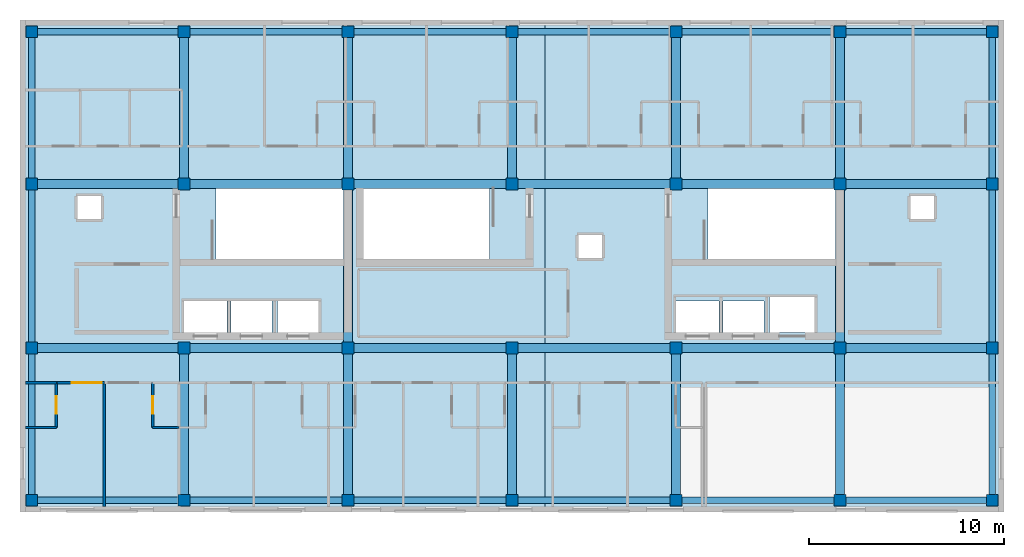
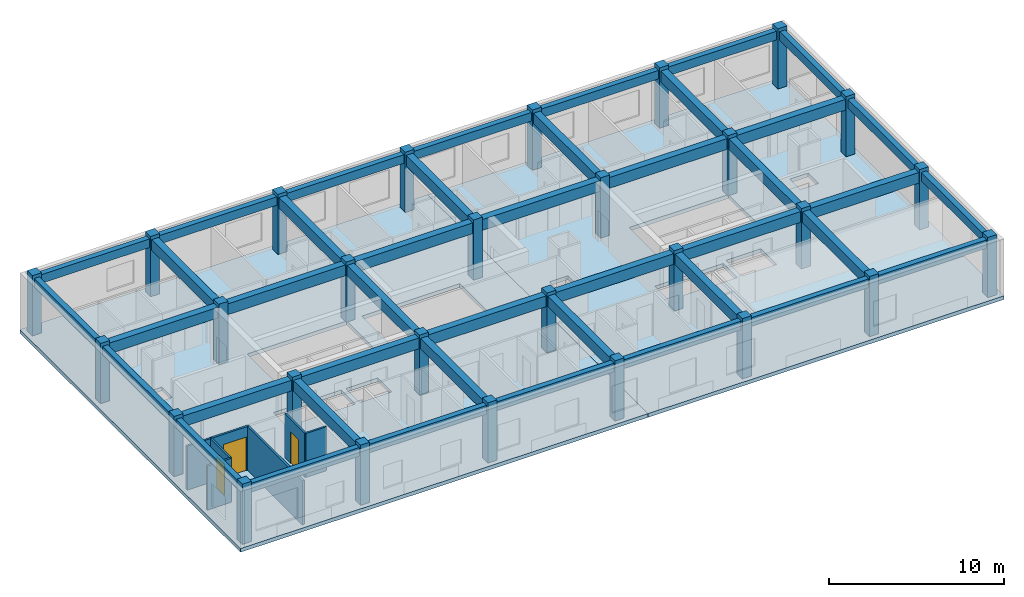
# One storey, part 1 of 7: 42 beams, 28 columns, 7 walls, 3 doors, 2 slabs, 3 openings.
"""IFC4 building model written with IfcOpenShell, lengths in metres."""

from ifc_helpers import new_model, si_unit, direction, frame, frame_2d, origin, origin_2d, place, context, subcontext, project, spatial, polyline, rectangle, outline, extrude, material, layer, layer_set, material_profile, profile_set, type_object, element, fill, save


model = new_model("IFC4")

# Units and contexts
model_context = context("Model", 3, precision=1e-05, world=origin(), true_north=direction((0.0, 1.0)))
body_context = subcontext(model_context, "Body", "Model", "MODEL_VIEW")
ifc_project = project(units=[si_unit("LENGTHUNIT", "METRE"), si_unit("AREAUNIT", "SQUARE_METRE"), si_unit("VOLUMEUNIT", "CUBIC_METRE"), si_unit("PLANEANGLEUNIT", "RADIAN"), si_unit("MASSUNIT", "GRAM", prefix="KILO")], contexts=[model_context])

# Site, building, storey
site_placement = place(None, origin())
site = spatial("IfcSite", under=ifc_project, at=site_placement, CompositionType="ELEMENT")
building_placement = place(site_placement, origin())
building = spatial("IfcBuilding", under=site, at=building_placement, Name="Zayran Congress Hotel", CompositionType="ELEMENT")
storey_placement = place(building_placement, frame((0.0, 0.0, 44.39990234375)))
storey = spatial("IfcBuildingStorey", under=building, at=storey_placement, Name="L11", CompositionType="ELEMENT", Elevation=44.39990234375)

# Columns
ifc_material_1 = material(Name="Concrete C40/50", Category="concrete")
ifc_material_profile_1 = material_profile(ifc_material_1, rectangle(XDim=0.60009765625, YDim=0.60009765625, at=origin_2d()), Name="RC 600x600")
ifc_profile_set_1 = profile_set([ifc_material_profile_1], Name="Concrete C40/50")
column_type = type_object("IfcColumnType", Name="TP-CL-04", PredefinedType="COLUMN", material=ifc_profile_set_1)
for number, where, z_axis, x_axis, name in (
    (1, (17.39990234375, 9.39990234375, 0.0), (0.0, 0.0, 1.0), (1.0, 0.0, 0.0), "COL-V5-L11-1352"),
    (2, (17.39990234375, 17.199951171875, 0.0), (0.0, 0.0, 1.0), (1.0, 0.0, 0.0), "COL-V5-L11-1353"),
    (3, (17.39990234375, 25.60009765625, 0.0), (0.0, 0.0, 1.0), (1.0, 0.0, 0.0), "COL-V5-L11-1354"),
    (4, (17.39990234375, 33.39990234375, 0.0), (0.0, 0.0, 1.0), (1.0, 0.0, 0.0), "COL-V5-L11-1355"),
    (5, (25.199951171875, 9.39990234375, 0.0), (0.0, 0.0, 1.0), (1.0, 0.0, 0.0), "COL-V5-L11-1356"),
    (6, (25.199951171875, 17.199951171875, 0.0), (0.0, 0.0, 1.0), (1.0, 0.0, 0.0), "COL-V5-L11-1357"),
    (7, (25.199951171875, 25.60009765625, 0.0), (0.0, 0.0, 1.0), (1.0, 0.0, 0.0), "COL-V5-L11-1358"),
    (8, (25.199951171875, 33.39990234375, 0.0), (0.0, 0.0, 1.0), (1.0, 0.0, 0.0), "COL-V5-L11-1359"),
    (9, (33.60009765625, 9.39990234375, 0.0), (0.0, 0.0, 1.0), (1.0, 0.0, 0.0), "COL-V5-L11-1360"),
    (10, (33.60009765625, 17.199951171875, 0.0), (0.0, 0.0, 1.0), (1.0, 0.0, 0.0), "COL-V5-L11-1361"),
    (11, (33.60009765625, 25.60009765625, 0.0), (0.0, 0.0, 1.0), (1.0, 0.0, 0.0), "COL-V5-L11-1362"),
    (12, (33.60009765625, 33.39990234375, 0.0), (0.0, 0.0, 1.0), (1.0, 0.0, 0.0), "COL-V5-L11-1363"),
    (13, (42.0, 9.39990234375, 0.0), (0.0, 0.0, 1.0), (1.0, 0.0, 0.0), "COL-V5-L11-1364"),
    (14, (42.0, 17.199951171875, 0.0), (0.0, 0.0, 1.0), (1.0, 0.0, 0.0), "COL-V5-L11-1365"),
    (15, (42.0, 25.60009765625, 0.0), (0.0, 0.0, 1.0), (1.0, 0.0, 0.0), "COL-V5-L11-1366"),
    (16, (42.0, 33.39990234375, 0.0), (0.0, 0.0, 1.0), (1.0, 0.0, 0.0), "COL-V5-L11-1367"),
    (17, (50.39990234375, 9.39990234375, 0.0), (0.0, 0.0, 1.0), (1.0, 0.0, 0.0), "COL-V5-L11-1368"),
    (18, (50.39990234375, 17.199951171875, 0.0), (0.0, 0.0, 1.0), (1.0, 0.0, 0.0), "COL-V5-L11-1369"),
    (19, (50.39990234375, 25.60009765625, 0.0), (0.0, 0.0, 1.0), (1.0, 0.0, 0.0), "COL-V5-L11-1370"),
    (20, (50.39990234375, 33.39990234375, 0.0), (0.0, 0.0, 1.0), (1.0, 0.0, 0.0), "COL-V5-L11-1371"),
    (21, (58.800048828125, 9.39990234375, 0.0), (0.0, 0.0, 1.0), (1.0, 0.0, 0.0), "COL-V5-L11-1372"),
    (22, (58.800048828125, 17.199951171875, 0.0), (0.0, 0.0, 1.0), (1.0, 0.0, 0.0), "COL-V5-L11-1373"),
    (23, (58.800048828125, 25.60009765625, 0.0), (0.0, 0.0, 1.0), (1.0, 0.0, 0.0), "COL-V5-L11-1374"),
    (24, (58.800048828125, 33.39990234375, 0.0), (0.0, 0.0, 1.0), (1.0, 0.0, 0.0), "COL-V5-L11-1375"),
    (25, (66.60009765625, 9.39990234375, 0.0), (0.0, 0.0, 1.0), (1.0, 0.0, 0.0), "COL-V5-L11-1376"),
    (26, (66.60009765625, 17.199951171875, 0.0), (0.0, 0.0, 1.0), (1.0, 0.0, 0.0), "COL-V5-L11-1377"),
    (27, (66.60009765625, 25.60009765625, 0.0), (0.0, 0.0, 1.0), (1.0, 0.0, 0.0), "COL-V5-L11-1378"),
    (28, (66.60009765625, 33.39990234375, 0.0), (0.0, 0.0, 1.0), (1.0, 0.0, 0.0), "COL-V5-L11-1379"),
):
    element("IfcColumn", number, at=place(storey_placement, frame(where, z_axis=z_axis, x_axis=x_axis)), inside=storey, type_object=column_type, Name=name, PredefinedType="COLUMN", context=body_context, shape_type="SweptSolid", body=[
        extrude(rectangle(XDim=0.60009765625, YDim=0.60009765625, at=origin_2d()), origin(), (0.0, 0.0, 1.0), 4.2001953125),
    ])

# Beams
ifc_material_profile_2 = material_profile(ifc_material_1, rectangle(XDim=0.449951171875, YDim=0.75, at=origin_2d()), Name="RC 450x750")
ifc_profile_set_2 = profile_set([ifc_material_profile_2], Name="Concrete C40/50")
beam_type_1 = type_object("IfcBeamType", Name="TP-BM-02", PredefinedType="BEAM", material=ifc_profile_set_2)
beam_1_placement = place(storey_placement, frame((17.39990234375, 17.199951171875, 3.585205078125), z_axis=(1.0, 0.0, 0.0), x_axis=(0.0, 1.0, 0.0)))
element("IfcBeam", 29, at=beam_1_placement, inside=storey, type_object=beam_type_1, Name="BM-V5-L11-2364", PredefinedType="BEAM", context=body_context, shape_type="SweptSolid", body=[
    extrude(rectangle(XDim=0.449951171875, YDim=0.75, at=origin_2d()), origin(), (0.0, 0.0, 1.0), 7.800048828125),
])
beam_2_placement = place(storey_placement, frame((25.199951171875, 17.199951171875, 3.585205078125), z_axis=(1.0, 0.0, 0.0), x_axis=(0.0, 1.0, 0.0)))
element("IfcBeam", 30, at=beam_2_placement, inside=storey, type_object=beam_type_1, Name="BM-V5-L11-2365", PredefinedType="BEAM", context=body_context, shape_type="SweptSolid", body=[
    extrude(rectangle(XDim=0.449951171875, YDim=0.75, at=origin_2d()), origin(), (0.0, 0.0, 1.0), 8.400146484375),
])
for number, where, z_axis, x_axis, name in (
    (31, (33.60009765625, 17.199951171875, 3.585205078125), (1.0, 0.0, 0.0), (0.0, 1.0, 0.0), "BM-V5-L11-2366"),
    (32, (42.0, 17.199951171875, 3.585205078125), (1.0, 0.0, 0.0), (0.0, 1.0, 0.0), "BM-V5-L11-2367"),
):
    element("IfcBeam", number, at=place(storey_placement, frame(where, z_axis=z_axis, x_axis=x_axis)), inside=storey, type_object=beam_type_1, Name=name, PredefinedType="BEAM", context=body_context, shape_type="SweptSolid", body=[
        extrude(rectangle(XDim=0.449951171875, YDim=0.75, at=origin_2d()), origin(), (0.0, 0.0, 1.0), 8.39990234375),
    ])
beam_3_placement = place(storey_placement, frame((50.39990234375, 17.199951171875, 3.585205078125), z_axis=(1.0, 0.0, 0.0), x_axis=(0.0, 1.0, 0.0)))
element("IfcBeam", 33, at=beam_3_placement, inside=storey, type_object=beam_type_1, Name="BM-V5-L11-2368", PredefinedType="BEAM", context=body_context, shape_type="SweptSolid", body=[
    extrude(rectangle(XDim=0.449951171875, YDim=0.75, at=origin_2d()), origin(), (0.0, 0.0, 1.0), 8.400146484375),
])
for number, where, z_axis, x_axis, name in (
    (34, (58.800048828125, 17.199951171875, 3.585205078125), (1.0, 0.0, 0.0), (0.0, 1.0, 0.0), "BM-V5-L11-2369"),
    (35, (17.39990234375, 25.60009765625, 3.585205078125), (1.0, 0.0, 0.0), (0.0, 1.0, 0.0), "BM-V5-L11-2370"),
):
    element("IfcBeam", number, at=place(storey_placement, frame(where, z_axis=z_axis, x_axis=x_axis)), inside=storey, type_object=beam_type_1, Name=name, PredefinedType="BEAM", context=body_context, shape_type="SweptSolid", body=[
        extrude(rectangle(XDim=0.449951171875, YDim=0.75, at=origin_2d()), origin(), (0.0, 0.0, 1.0), 7.800048828125),
    ])
beam_4_placement = place(storey_placement, frame((25.199951171875, 25.60009765625, 3.585205078125), z_axis=(1.0, 0.0, 0.0), x_axis=(0.0, 1.0, 0.0)))
element("IfcBeam", 36, at=beam_4_placement, inside=storey, type_object=beam_type_1, Name="BM-V5-L11-2371", PredefinedType="BEAM", context=body_context, shape_type="SweptSolid", body=[
    extrude(rectangle(XDim=0.449951171875, YDim=0.75, at=origin_2d()), origin(), (0.0, 0.0, 1.0), 8.400146484375),
])
for number, where, z_axis, x_axis, name in (
    (37, (33.60009765625, 25.60009765625, 3.585205078125), (1.0, 0.0, 0.0), (0.0, 1.0, 0.0), "BM-V5-L11-2372"),
    (38, (42.0, 25.60009765625, 3.585205078125), (1.0, 0.0, 0.0), (0.0, 1.0, 0.0), "BM-V5-L11-2373"),
):
    element("IfcBeam", number, at=place(storey_placement, frame(where, z_axis=z_axis, x_axis=x_axis)), inside=storey, type_object=beam_type_1, Name=name, PredefinedType="BEAM", context=body_context, shape_type="SweptSolid", body=[
        extrude(rectangle(XDim=0.449951171875, YDim=0.75, at=origin_2d()), origin(), (0.0, 0.0, 1.0), 8.39990234375),
    ])
beam_5_placement = place(storey_placement, frame((50.39990234375, 25.60009765625, 3.585205078125), z_axis=(1.0, 0.0, 0.0), x_axis=(0.0, 1.0, 0.0)))
element("IfcBeam", 39, at=beam_5_placement, inside=storey, type_object=beam_type_1, Name="BM-V5-L11-2374", PredefinedType="BEAM", context=body_context, shape_type="SweptSolid", body=[
    extrude(rectangle(XDim=0.449951171875, YDim=0.75, at=origin_2d()), origin(), (0.0, 0.0, 1.0), 8.400146484375),
])
for number, where, z_axis, x_axis, name in (
    (40, (58.800048828125, 25.60009765625, 3.585205078125), (1.0, 0.0, 0.0), (0.0, 1.0, 0.0), "BM-V5-L11-2375"),
    (41, (25.199951171875, 9.39990234375, 3.585205078125), (0.0, 1.0, 0.0), (-1.0, 0.0, 0.0), "BM-V5-L11-2385"),
):
    element("IfcBeam", number, at=place(storey_placement, frame(where, z_axis=z_axis, x_axis=x_axis)), inside=storey, type_object=beam_type_1, Name=name, PredefinedType="BEAM", context=body_context, shape_type="SweptSolid", body=[
        extrude(rectangle(XDim=0.449951171875, YDim=0.75, at=origin_2d()), origin(), (0.0, 0.0, 1.0), 7.800048828125),
    ])
beam_6_placement = place(storey_placement, frame((25.199951171875, 25.60009765625, 3.585205078125), z_axis=(0.0, 1.0, 0.0), x_axis=(-1.0, 0.0, 0.0)))
element("IfcBeam", 42, at=beam_6_placement, inside=storey, type_object=beam_type_1, Name="BM-V5-L11-2386", PredefinedType="BEAM", context=body_context, shape_type="SweptSolid", body=[
    extrude(rectangle(XDim=0.449951171875, YDim=0.75, at=origin_2d()), origin(), (0.0, 0.0, 1.0), 7.7998046875),
])
beam_7_placement = place(storey_placement, frame((33.60009765625, 9.39990234375, 3.585205078125), z_axis=(0.0, 1.0, 0.0), x_axis=(-1.0, 0.0, 0.0)))
element("IfcBeam", 43, at=beam_7_placement, inside=storey, type_object=beam_type_1, Name="BM-V5-L11-2387", PredefinedType="BEAM", context=body_context, shape_type="SweptSolid", body=[
    extrude(rectangle(XDim=0.449951171875, YDim=0.75, at=origin_2d()), origin(), (0.0, 0.0, 1.0), 7.800048828125),
])
beam_8_placement = place(storey_placement, frame((33.60009765625, 17.199951171875, 3.585205078125), z_axis=(0.0, 1.0, 0.0), x_axis=(-1.0, 0.0, 0.0)))
element("IfcBeam", 44, at=beam_8_placement, inside=storey, type_object=beam_type_1, Name="BM-V5-L11-2388", PredefinedType="BEAM", context=body_context, shape_type="SweptSolid", body=[
    extrude(rectangle(XDim=0.449951171875, YDim=0.75, at=origin_2d()), origin(), (0.0, 0.0, 1.0), 8.400146484375),
])
beam_9_placement = place(storey_placement, frame((33.60009765625, 25.60009765625, 3.585205078125), z_axis=(0.0, 1.0, 0.0), x_axis=(-1.0, 0.0, 0.0)))
element("IfcBeam", 45, at=beam_9_placement, inside=storey, type_object=beam_type_1, Name="BM-V5-L11-2389", PredefinedType="BEAM", context=body_context, shape_type="SweptSolid", body=[
    extrude(rectangle(XDim=0.449951171875, YDim=0.75, at=origin_2d()), origin(), (0.0, 0.0, 1.0), 7.7998046875),
])
beam_10_placement = place(storey_placement, frame((42.0, 9.39990234375, 3.585205078125), z_axis=(0.0, 1.0, 0.0), x_axis=(-1.0, 0.0, 0.0)))
element("IfcBeam", 46, at=beam_10_placement, inside=storey, type_object=beam_type_1, Name="BM-V5-L11-2390", PredefinedType="BEAM", context=body_context, shape_type="SweptSolid", body=[
    extrude(rectangle(XDim=0.449951171875, YDim=0.75, at=origin_2d()), origin(), (0.0, 0.0, 1.0), 7.800048828125),
])
beam_11_placement = place(storey_placement, frame((42.0, 25.60009765625, 3.585205078125), z_axis=(0.0, 1.0, 0.0), x_axis=(-1.0, 0.0, 0.0)))
element("IfcBeam", 47, at=beam_11_placement, inside=storey, type_object=beam_type_1, Name="BM-V5-L11-2392", PredefinedType="BEAM", context=body_context, shape_type="SweptSolid", body=[
    extrude(rectangle(XDim=0.449951171875, YDim=0.75, at=origin_2d()), origin(), (0.0, 0.0, 1.0), 7.7998046875),
])
beam_12_placement = place(storey_placement, frame((50.39990234375, 9.39990234375, 3.585205078125), z_axis=(0.0, 1.0, 0.0), x_axis=(-1.0, 0.0, 0.0)))
element("IfcBeam", 48, at=beam_12_placement, inside=storey, type_object=beam_type_1, Name="BM-V5-L11-2393", PredefinedType="BEAM", context=body_context, shape_type="SweptSolid", body=[
    extrude(rectangle(XDim=0.449951171875, YDim=0.75, at=origin_2d()), origin(), (0.0, 0.0, 1.0), 7.800048828125),
])
beam_13_placement = place(storey_placement, frame((50.39990234375, 25.60009765625, 3.585205078125), z_axis=(0.0, 1.0, 0.0), x_axis=(-1.0, 0.0, 0.0)))
element("IfcBeam", 49, at=beam_13_placement, inside=storey, type_object=beam_type_1, Name="BM-V5-L11-2394", PredefinedType="BEAM", context=body_context, shape_type="SweptSolid", body=[
    extrude(rectangle(XDim=0.449951171875, YDim=0.75, at=origin_2d()), origin(), (0.0, 0.0, 1.0), 7.7998046875),
])
beam_14_placement = place(storey_placement, frame((58.800048828125, 9.39990234375, 3.585205078125), z_axis=(0.0, 1.0, 0.0), x_axis=(-1.0, 0.0, 0.0)))
element("IfcBeam", 50, at=beam_14_placement, inside=storey, type_object=beam_type_1, Name="BM-V5-L11-2395", PredefinedType="BEAM", context=body_context, shape_type="SweptSolid", body=[
    extrude(rectangle(XDim=0.449951171875, YDim=0.75, at=origin_2d()), origin(), (0.0, 0.0, 1.0), 7.800048828125),
])
beam_15_placement = place(storey_placement, frame((58.800048828125, 17.199951171875, 3.585205078125), z_axis=(0.0, 1.0, 0.0), x_axis=(-1.0, 0.0, 0.0)))
element("IfcBeam", 51, at=beam_15_placement, inside=storey, type_object=beam_type_1, Name="BM-V5-L11-2396", PredefinedType="BEAM", context=body_context, shape_type="SweptSolid", body=[
    extrude(rectangle(XDim=0.449951171875, YDim=0.75, at=origin_2d()), origin(), (0.0, 0.0, 1.0), 8.400146484375),
])
beam_16_placement = place(storey_placement, frame((58.800048828125, 25.60009765625, 3.585205078125), z_axis=(0.0, 1.0, 0.0), x_axis=(-1.0, 0.0, 0.0)))
element("IfcBeam", 52, at=beam_16_placement, inside=storey, type_object=beam_type_1, Name="BM-V5-L11-2397", PredefinedType="BEAM", context=body_context, shape_type="SweptSolid", body=[
    extrude(rectangle(XDim=0.449951171875, YDim=0.75, at=origin_2d()), origin(), (0.0, 0.0, 1.0), 7.7998046875),
])
ifc_material_profile_3 = material_profile(ifc_material_1, rectangle(XDim=0.35009765625, YDim=0.60009765625, at=origin_2d()), Name="RC 350x600")
ifc_profile_set_3 = profile_set([ifc_material_profile_3], Name="Concrete C40/50")
beam_type_2 = type_object("IfcBeamType", Name="TP-SP-01", PredefinedType="SPANDREL", material=ifc_profile_set_3)
beam_17_placement = place(storey_placement, frame((17.39990234375, 9.39990234375, 3.66015625), z_axis=(1.0, 0.0, 0.0), x_axis=(0.0, 1.0, 0.0)))
element("IfcBeam", 53, at=beam_17_placement, inside=storey, type_object=beam_type_2, Name="BM-V5-L11-2358", PredefinedType="SPANDREL", context=body_context, shape_type="SweptSolid", body=[
    extrude(rectangle(XDim=0.35009765625, YDim=0.60009765625, at=origin_2d()), origin(), (0.0, 0.0, 1.0), 7.800048828125),
])
beam_18_placement = place(storey_placement, frame((25.199951171875, 9.39990234375, 3.66015625), z_axis=(1.0, 0.0, 0.0), x_axis=(0.0, 1.0, 0.0)))
element("IfcBeam", 54, at=beam_18_placement, inside=storey, type_object=beam_type_2, Name="BM-V5-L11-2359", PredefinedType="SPANDREL", context=body_context, shape_type="SweptSolid", body=[
    extrude(rectangle(XDim=0.35009765625, YDim=0.60009765625, at=origin_2d()), origin(), (0.0, 0.0, 1.0), 8.400146484375),
])
for number, where, z_axis, x_axis, name in (
    (55, (33.60009765625, 9.39990234375, 3.66015625), (1.0, 0.0, 0.0), (0.0, 1.0, 0.0), "BM-V5-L11-2360"),
    (56, (42.0, 9.39990234375, 3.66015625), (1.0, 0.0, 0.0), (0.0, 1.0, 0.0), "BM-V5-L11-2361"),
):
    element("IfcBeam", number, at=place(storey_placement, frame(where, z_axis=z_axis, x_axis=x_axis)), inside=storey, type_object=beam_type_2, Name=name, PredefinedType="SPANDREL", context=body_context, shape_type="SweptSolid", body=[
        extrude(rectangle(XDim=0.35009765625, YDim=0.60009765625, at=origin_2d()), origin(), (0.0, 0.0, 1.0), 8.39990234375),
    ])
beam_19_placement = place(storey_placement, frame((50.39990234375, 9.39990234375, 3.66015625), z_axis=(1.0, 0.0, 0.0), x_axis=(0.0, 1.0, 0.0)))
element("IfcBeam", 57, at=beam_19_placement, inside=storey, type_object=beam_type_2, Name="BM-V5-L11-2362", PredefinedType="SPANDREL", context=body_context, shape_type="SweptSolid", body=[
    extrude(rectangle(XDim=0.35009765625, YDim=0.60009765625, at=origin_2d()), origin(), (0.0, 0.0, 1.0), 8.400146484375),
])
for number, where, z_axis, x_axis, name in (
    (58, (58.800048828125, 9.39990234375, 3.66015625), (1.0, 0.0, 0.0), (0.0, 1.0, 0.0), "BM-V5-L11-2363"),
    (59, (17.39990234375, 33.39990234375, 3.66015625), (1.0, 0.0, 0.0), (0.0, 1.0, 0.0), "BM-V5-L11-2376"),
):
    element("IfcBeam", number, at=place(storey_placement, frame(where, z_axis=z_axis, x_axis=x_axis)), inside=storey, type_object=beam_type_2, Name=name, PredefinedType="SPANDREL", context=body_context, shape_type="SweptSolid", body=[
        extrude(rectangle(XDim=0.35009765625, YDim=0.60009765625, at=origin_2d()), origin(), (0.0, 0.0, 1.0), 7.800048828125),
    ])
beam_20_placement = place(storey_placement, frame((25.199951171875, 33.39990234375, 3.66015625), z_axis=(1.0, 0.0, 0.0), x_axis=(0.0, 1.0, 0.0)))
element("IfcBeam", 60, at=beam_20_placement, inside=storey, type_object=beam_type_2, Name="BM-V5-L11-2377", PredefinedType="SPANDREL", context=body_context, shape_type="SweptSolid", body=[
    extrude(rectangle(XDim=0.35009765625, YDim=0.60009765625, at=origin_2d()), origin(), (0.0, 0.0, 1.0), 8.400146484375),
])
for number, where, z_axis, x_axis, name in (
    (61, (33.60009765625, 33.39990234375, 3.66015625), (1.0, 0.0, 0.0), (0.0, 1.0, 0.0), "BM-V5-L11-2378"),
    (62, (42.0, 33.39990234375, 3.66015625), (1.0, 0.0, 0.0), (0.0, 1.0, 0.0), "BM-V5-L11-2379"),
):
    element("IfcBeam", number, at=place(storey_placement, frame(where, z_axis=z_axis, x_axis=x_axis)), inside=storey, type_object=beam_type_2, Name=name, PredefinedType="SPANDREL", context=body_context, shape_type="SweptSolid", body=[
        extrude(rectangle(XDim=0.35009765625, YDim=0.60009765625, at=origin_2d()), origin(), (0.0, 0.0, 1.0), 8.39990234375),
    ])
beam_21_placement = place(storey_placement, frame((50.39990234375, 33.39990234375, 3.66015625), z_axis=(1.0, 0.0, 0.0), x_axis=(0.0, 1.0, 0.0)))
element("IfcBeam", 63, at=beam_21_placement, inside=storey, type_object=beam_type_2, Name="BM-V5-L11-2380", PredefinedType="SPANDREL", context=body_context, shape_type="SweptSolid", body=[
    extrude(rectangle(XDim=0.35009765625, YDim=0.60009765625, at=origin_2d()), origin(), (0.0, 0.0, 1.0), 8.400146484375),
])
for number, where, z_axis, x_axis, name in (
    (64, (58.800048828125, 33.39990234375, 3.66015625), (1.0, 0.0, 0.0), (0.0, 1.0, 0.0), "BM-V5-L11-2381"),
    (65, (17.39990234375, 9.39990234375, 3.66015625), (0.0, 1.0, 0.0), (-1.0, 0.0, 0.0), "BM-V5-L11-2382"),
):
    element("IfcBeam", number, at=place(storey_placement, frame(where, z_axis=z_axis, x_axis=x_axis)), inside=storey, type_object=beam_type_2, Name=name, PredefinedType="SPANDREL", context=body_context, shape_type="SweptSolid", body=[
        extrude(rectangle(XDim=0.35009765625, YDim=0.60009765625, at=origin_2d()), origin(), (0.0, 0.0, 1.0), 7.800048828125),
    ])
beam_22_placement = place(storey_placement, frame((17.39990234375, 17.199951171875, 3.66015625), z_axis=(0.0, 1.0, 0.0), x_axis=(-1.0, 0.0, 0.0)))
element("IfcBeam", 66, at=beam_22_placement, inside=storey, type_object=beam_type_2, Name="BM-V5-L11-2383", PredefinedType="SPANDREL", context=body_context, shape_type="SweptSolid", body=[
    extrude(rectangle(XDim=0.35009765625, YDim=0.60009765625, at=origin_2d()), origin(), (0.0, 0.0, 1.0), 8.400146484375),
])
beam_23_placement = place(storey_placement, frame((17.39990234375, 25.60009765625, 3.66015625), z_axis=(0.0, 1.0, 0.0), x_axis=(-1.0, 0.0, 0.0)))
element("IfcBeam", 67, at=beam_23_placement, inside=storey, type_object=beam_type_2, Name="BM-V5-L11-2384", PredefinedType="SPANDREL", context=body_context, shape_type="SweptSolid", body=[
    extrude(rectangle(XDim=0.35009765625, YDim=0.60009765625, at=origin_2d()), origin(), (0.0, 0.0, 1.0), 7.7998046875),
])
beam_24_placement = place(storey_placement, frame((66.60009765625, 9.39990234375, 3.66015625), z_axis=(0.0, 1.0, 0.0), x_axis=(-1.0, 0.0, 0.0)))
element("IfcBeam", 68, at=beam_24_placement, inside=storey, type_object=beam_type_2, Name="BM-V5-L11-2398", PredefinedType="SPANDREL", context=body_context, shape_type="SweptSolid", body=[
    extrude(rectangle(XDim=0.35009765625, YDim=0.60009765625, at=origin_2d()), origin(), (0.0, 0.0, 1.0), 7.800048828125),
])
beam_25_placement = place(storey_placement, frame((66.60009765625, 17.199951171875, 3.66015625), z_axis=(0.0, 1.0, 0.0), x_axis=(-1.0, 0.0, 0.0)))
element("IfcBeam", 69, at=beam_25_placement, inside=storey, type_object=beam_type_2, Name="BM-V5-L11-2399", PredefinedType="SPANDREL", context=body_context, shape_type="SweptSolid", body=[
    extrude(rectangle(XDim=0.35009765625, YDim=0.60009765625, at=origin_2d()), origin(), (0.0, 0.0, 1.0), 8.400146484375),
])
beam_26_placement = place(storey_placement, frame((66.60009765625, 25.60009765625, 3.66015625), z_axis=(0.0, 1.0, 0.0), x_axis=(-1.0, 0.0, 0.0)))
element("IfcBeam", 70, at=beam_26_placement, inside=storey, type_object=beam_type_2, Name="BM-V5-L11-2400", PredefinedType="SPANDREL", context=body_context, shape_type="SweptSolid", body=[
    extrude(rectangle(XDim=0.35009765625, YDim=0.60009765625, at=origin_2d()), origin(), (0.0, 0.0, 1.0), 7.7998046875),
])

# Slabs
ifc_material_2 = material(Name="Concrete C32/40", Category="concrete")
ifc_layer_1 = layer(ifc_material_2, 0.260009765625)
ifc_layer_set_1 = layer_set([ifc_layer_1], Name="Concrete C32/40")
slab_type = type_object("IfcSlabType", Name="SL-FL-260", PredefinedType="FLOOR", material=ifc_layer_set_1)
slab_1_placement = place(storey_placement, frame((0.0, 0.0, -0.260009765625)))
element("IfcSlab", 71, at=slab_1_placement, inside=storey, type_object=slab_type, Name="SLB-V5-L11-055", PredefinedType="FLOOR", context=body_context, shape_type="SweptSolid", body=[
    extrude(outline(polyline([(16.800048828125, 8.800048828125), (43.699951171875, 8.800048828125), (43.699951171875, 34.0), (16.800048828125, 34.0), (16.800048828125, 8.800048828125)]), holes=[polyline([(26.840087890625, 21.760009765625), (33.39990234375, 21.760009765625), (33.39990234375, 25.39990234375), (26.840087890625, 25.39990234375), (26.840087890625, 21.760009765625)]), polyline([(25.199951171875, 18.0), (27.39990234375, 18.0), (27.39990234375, 19.60009765625), (25.199951171875, 19.60009765625), (25.199951171875, 18.0)]), polyline([(27.60009765625, 18.0), (29.699951171875, 18.0), (29.699951171875, 19.60009765625), (27.60009765625, 19.60009765625), (27.60009765625, 18.0)]), polyline([(30.0, 18.0), (32.10009765625, 18.0), (32.10009765625, 19.60009765625), (30.0, 19.60009765625), (30.0, 18.0)]), polyline([(34.39990234375, 21.760009765625), (40.860107421875, 21.760009765625), (40.860107421875, 25.39990234375), (34.39990234375, 25.39990234375), (34.39990234375, 21.760009765625)]), polyline([(19.739990234375, 23.800048828125), (20.9599609375, 23.800048828125), (20.9599609375, 24.97998046875), (19.739990234375, 24.97998046875), (19.739990234375, 23.800048828125)])]), origin(), (0.0, 0.0, 1.0), 0.260009765625),
])
slab_2_placement = place(storey_placement, frame((0.0, 0.0, -0.260009765625)))
element("IfcSlab", 72, at=slab_2_placement, inside=storey, type_object=slab_type, Name="SLB-V5-L11-056", PredefinedType="FLOOR", context=body_context, shape_type="SweptSolid", body=[
    extrude(outline(polyline([(43.699951171875, 8.800048828125), (67.199951171875, 8.800048828125), (67.199951171875, 34.0), (43.699951171875, 34.0), (43.699951171875, 8.800048828125)]), holes=[polyline([(52.0400390625, 21.760009765625), (58.60009765625, 21.760009765625), (58.60009765625, 25.39990234375), (52.0400390625, 25.39990234375), (52.0400390625, 21.760009765625)]), polyline([(50.39990234375, 18.0), (52.60009765625, 18.0), (52.60009765625, 19.60009765625), (50.39990234375, 19.60009765625), (50.39990234375, 18.0)]), polyline([(52.800048828125, 18.0), (54.89990234375, 18.0), (54.89990234375, 19.60009765625), (52.800048828125, 19.60009765625), (52.800048828125, 18.0)]), polyline([(55.199951171875, 18.0), (57.5, 18.0), (57.5, 19.800048828125), (55.199951171875, 19.800048828125), (55.199951171875, 18.0)]), polyline([(45.39990234375, 21.800048828125), (46.6201171875, 21.800048828125), (46.6201171875, 22.97998046875), (45.39990234375, 22.97998046875), (45.39990234375, 21.800048828125)]), polyline([(62.39990234375, 23.800048828125), (63.6201171875, 23.800048828125), (63.6201171875, 24.97998046875), (62.39990234375, 24.97998046875), (62.39990234375, 23.800048828125)])]), origin(), (0.0, 0.0, 1.0), 0.260009765625),
])

# Wall, opening, door
ifc_material_3 = material(Name="Hospitality guestroom acoustic partition", Category="gypsum")
ifc_layer_2 = layer(ifc_material_3, 0.139892578125)
ifc_layer_set_2 = layer_set([ifc_layer_2], Name="Hospitality guestroom acoustic partition")
wall_type_1 = type_object("IfcWallType", Name="WL-PT-140", PredefinedType="PARTITIONING", material=ifc_layer_set_2)
wall_1_placement = place(storey_placement, frame((18.659912109375, 15.419921875, 0.0), z_axis=(0.0, 0.0, 1.0), x_axis=(1.0, 0.0, 0.0)))
wall_1 = element("IfcWall", 73, at=wall_1_placement, inside=storey, type_object=wall_type_1, Name="IW-L11-0839", PredefinedType="PARTITIONING", context=body_context, shape_type="SweptSolid", body=[
    extrude(rectangle(XDim=2.4580078125, YDim=0.139892578125, at=frame_2d((1.22900390625, 0.0))), origin(), (0.0, 0.0, 1.0), 3.06005859375),
])
opening_1_placement = place(wall_1_placement, frame((0.798095703125, 0.0, 0.0)))
opening_1 = element("IfcOpeningElement", 74, at=opening_1_placement, cuts=wall_1, Name="Opening DR-ST-02", PredefinedType="OPENING", context=body_context, shape_type="SweptSolid", body=[
    extrude(rectangle(XDim=1.52001953125, YDim=2.35009765625, at=frame_2d((0.760009765625, 1.175048828125))), frame((0.0, 0.079833984375, 0.0), z_axis=(0.0, -1.0, 0.0), x_axis=(1.0, 0.0, 0.0)), (0.0, 0.0, 1.0), 0.159912109375),
])
ifc_material_4 = material(Name="Double presidential suite entry door", Category="steel")
door_type_1 = type_object("IfcDoorType", Name="TP-DR-ST-02", OperationType="DOUBLE_DOOR_SINGLE_SWING", PredefinedType="DOOR", material=ifc_material_4)
door_1_placement = place(opening_1_placement, origin())
door_1 = element("IfcDoor", 75, at=door_1_placement, inside=storey, type_object=door_type_1, Name="Presidential Suite L11-01 Door", OperationType="DOUBLE_DOOR_SINGLE_SWING", OverallHeight=2.35009765625, OverallWidth=1.52001953125, PredefinedType="DOOR", context=body_context, shape_type="SweptSolid", body=[
    extrude(rectangle(XDim=1.52001953125, YDim=2.35009765625, at=frame_2d((0.760009765625, 1.175048828125))), frame((0.0, 0.02490234375, 0.0), z_axis=(0.0, -1.0, 0.0), x_axis=(1.0, 0.0, 0.0)), (0.0, 0.0, 1.0), 0.050048828125),
])
fill(opening_1, door_1)

# Wall
wall_2_placement = place(storey_placement, frame((21.117919921875, 9.080078125, 0.0), z_axis=(0.0, 0.0, 1.0), x_axis=(0.0, 1.0, 0.0)))
element("IfcWall", 76, at=wall_2_placement, inside=storey, type_object=wall_type_1, Name="IW-L11-2175", PredefinedType="PARTITIONING", context=body_context, shape_type="SweptSolid", body=[
    extrude(rectangle(XDim=6.349853515625, YDim=0.139892578125, at=frame_2d((3.1748046875, 0.0))), origin(), (0.0, 0.0, 1.0), 3.06005859375),
])

# Wall, opening, door
ifc_material_5 = material(Name="Moisture-resistant bathroom partition", Category="gypsum")
ifc_layer_3 = layer(ifc_material_5, 0.1201171875)
ifc_layer_set_3 = layer_set([ifc_layer_3], Name="Moisture-resistant bathroom partition")
wall_type_2 = type_object("IfcWallType", Name="WL-PT-120", PredefinedType="PARTITIONING", material=ifc_layer_set_3)
wall_3_placement = place(storey_placement, frame((18.659912109375, 13.1201171875, 0.0), z_axis=(0.0, 0.0, 1.0), x_axis=(0.0, 1.0, 0.0)))
wall_3 = element("IfcWall", 77, at=wall_3_placement, inside=storey, type_object=wall_type_2, Name="IW-L11-0317", PredefinedType="PARTITIONING", context=body_context, shape_type="SweptSolid", body=[
    extrude(rectangle(XDim=2.309814453125, YDim=0.1201171875, at=frame_2d((1.15478515625, 0.0))), origin(), (0.0, 0.0, 1.0), 3.06005859375),
])
opening_2_placement = place(wall_3_placement, frame((0.705078125, 0.0, 0.0)))
opening_2 = element("IfcOpeningElement", 78, at=opening_2_placement, cuts=wall_3, Name="Opening DR-BT-03", PredefinedType="OPENING", context=body_context, shape_type="SweptSolid", body=[
    extrude(rectangle(XDim=0.89990234375, YDim=2.179931640625, at=frame_2d((0.449951171875, 1.08984375))), frame((0.0, 0.070068359375, 0.0), z_axis=(0.0, -1.0, 0.0), x_axis=(1.0, 0.0, 0.0)), (0.0, 0.0, 1.0), 0.14013671875),
])
ifc_material_6 = material(Name="Suite oak en-suite bathroom door", Category="wood")
door_type_2 = type_object("IfcDoorType", Name="TP-DR-BT-03", OperationType="NOTDEFINED", PredefinedType="DOOR", material=ifc_material_6)
door_2_placement = place(opening_2_placement, origin())
door_2 = element("IfcDoor", 79, at=door_2_placement, inside=storey, type_object=door_type_2, Name="En-Suite Bathroom L11-01 Door", OperationType="SINGLE_SWING_RIGHT", OverallHeight=2.179931640625, OverallWidth=0.89990234375, PredefinedType="DOOR", context=body_context, shape_type="SweptSolid", body=[
    extrude(rectangle(XDim=0.89990234375, YDim=2.179931640625, at=frame_2d((0.449951171875, 1.08984375))), frame((0.0, 0.02490234375, 0.0), z_axis=(0.0, -1.0, 0.0), x_axis=(1.0, 0.0, 0.0)), (0.0, 0.0, 1.0), 0.050048828125),
])
fill(opening_2, door_2)

wall_4_placement = place(storey_placement, frame((23.595947265625, 13.1201171875, 0.0), z_axis=(0.0, 0.0, 1.0), x_axis=(0.0, 1.0, 0.0)))
wall_4 = element("IfcWall", 80, at=wall_4_placement, inside=storey, type_object=wall_type_2, Name="IW-L11-0318", PredefinedType="PARTITIONING", context=body_context, shape_type="SweptSolid", body=[
    extrude(rectangle(XDim=2.309814453125, YDim=0.1201171875, at=frame_2d((1.15478515625, 0.0))), origin(), (0.0, 0.0, 1.0), 3.06005859375),
])
opening_3_placement = place(wall_4_placement, frame((0.705078125, 0.0, 0.0)))
opening_3 = element("IfcOpeningElement", 81, at=opening_3_placement, cuts=wall_4, Name="Opening DR-BT-03", PredefinedType="OPENING", context=body_context, shape_type="SweptSolid", body=[
    extrude(rectangle(XDim=0.89990234375, YDim=2.179931640625, at=frame_2d((0.449951171875, 1.08984375))), frame((0.0, 0.070068359375, 0.0), z_axis=(0.0, -1.0, 0.0), x_axis=(1.0, 0.0, 0.0)), (0.0, 0.0, 1.0), 0.14013671875),
])
door_3_placement = place(opening_3_placement, origin())
door_3 = element("IfcDoor", 82, at=door_3_placement, inside=storey, type_object=door_type_2, Name="En-Suite Bathroom L11-02 Door", OperationType="SINGLE_SWING_LEFT", OverallHeight=2.179931640625, OverallWidth=0.89990234375, PredefinedType="DOOR", context=body_context, shape_type="SweptSolid", body=[
    extrude(rectangle(XDim=0.89990234375, YDim=2.179931640625, at=frame_2d((0.449951171875, 1.08984375))), frame((0.0, 0.02490234375, 0.0), z_axis=(0.0, -1.0, 0.0), x_axis=(1.0, 0.0, 0.0)), (0.0, 0.0, 1.0), 0.050048828125),
])
fill(opening_3, door_3)

# Walls
for number, where, z_axis, x_axis, name in (
    (83, (17.080078125, 13.1298828125, 0.0), (0.0, 0.0, 1.0), (1.0, 0.0, 0.0), "IW-L11-1501"),
    (84, (17.080078125, 15.419921875, 0.0), (0.0, 0.0, 1.0), (1.0, 0.0, 0.0), "IW-L11-1502"),
):
    element("IfcWall", number, at=place(storey_placement, frame(where, z_axis=z_axis, x_axis=x_axis)), inside=storey, type_object=wall_type_2, Name=name, PredefinedType="PARTITIONING", context=body_context, shape_type="SweptSolid", body=[
        extrude(rectangle(XDim=1.58984375, YDim=0.1201171875, at=frame_2d((0.794921875, 0.0))), origin(), (0.0, 0.0, 1.0), 3.06005859375),
    ])
wall_5_placement = place(storey_placement, frame((23.5859375, 13.1298828125, 0.0), z_axis=(0.0, 0.0, 1.0), x_axis=(1.0, 0.0, 0.0)))
element("IfcWall", 85, at=wall_5_placement, inside=storey, type_object=wall_type_2, Name="IW-L11-1503", PredefinedType="PARTITIONING", context=body_context, shape_type="SweptSolid", body=[
    extrude(rectangle(XDim=1.3701171875, YDim=0.1201171875, at=frame_2d((0.68505859375, 0.0))), origin(), (0.0, 0.0, 1.0), 3.06005859375),
])

save(model, "model.ifc")
